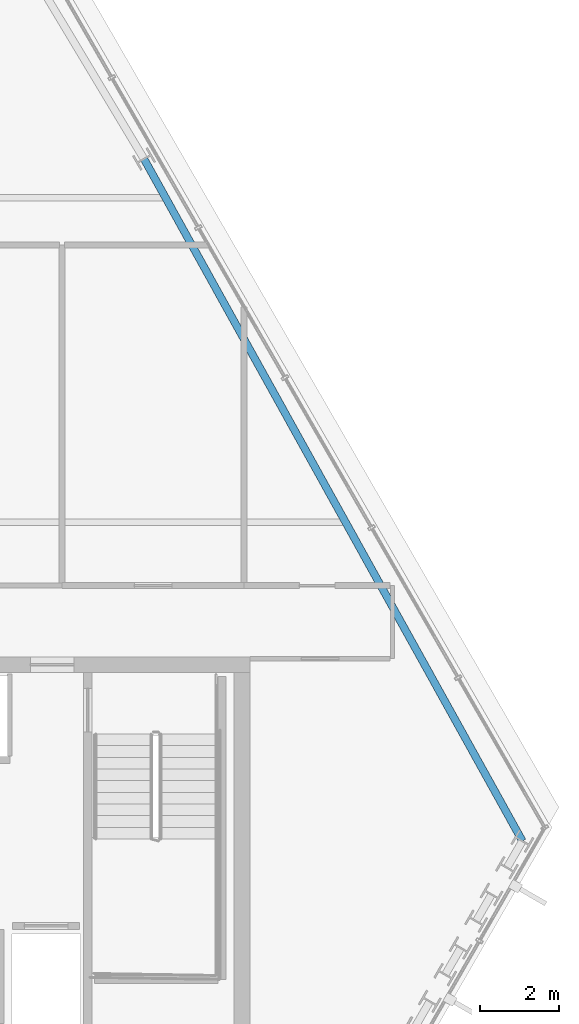
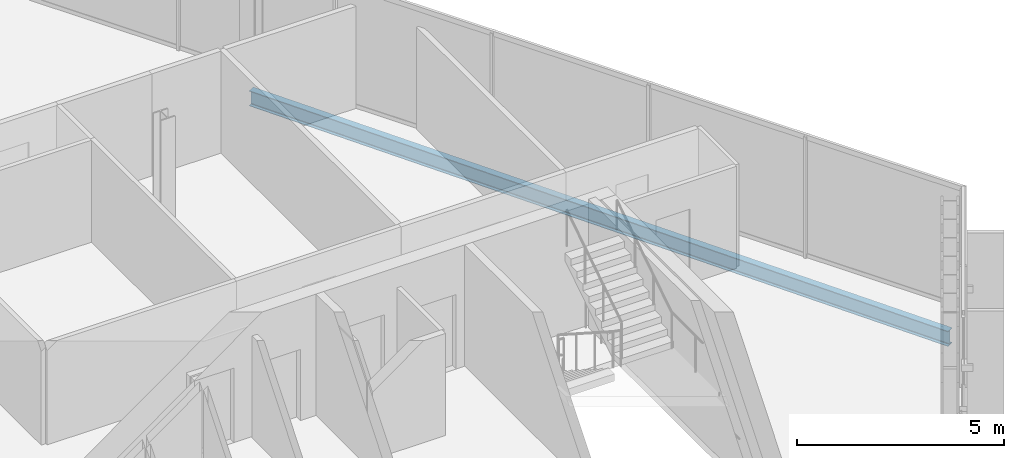
# One storey, part 16 of 29: 1 beam.
"""IFC4 building model written with IfcOpenShell, lengths in metres."""

from ifc_helpers import new_model, si_unit, direction, frame, origin, origin_2d, place, context, subcontext, project, spatial, i_section, extrude, material, material_profile, profile_set, type_object, element, save


model = new_model("IFC4")

# Units and contexts
model_context = context("Model", 3, precision=1e-05, world=origin(), true_north=direction((0.0, 1.0)))
body_context = subcontext(model_context, "Body", "Model", "MODEL_VIEW")
ifc_project = project(units=[si_unit("LENGTHUNIT", "METRE"), si_unit("AREAUNIT", "SQUARE_METRE"), si_unit("VOLUMEUNIT", "CUBIC_METRE"), si_unit("PLANEANGLEUNIT", "RADIAN"), si_unit("MASSUNIT", "GRAM", prefix="KILO")], contexts=[model_context])

# Site, building, storey
site_placement = place(None, origin())
site = spatial("IfcSite", under=ifc_project, at=site_placement, CompositionType="ELEMENT")
building_placement = place(site_placement, origin())
building = spatial("IfcBuilding", under=site, at=building_placement, Name="Ndaravel Arena Tower", CompositionType="ELEMENT")
storey_placement = place(building_placement, frame((0.0, 0.0, 240.800048828125)))
storey = spatial("IfcBuildingStorey", under=building, at=storey_placement, Name="L58", CompositionType="ELEMENT", Elevation=240.800048828125)

# Beam
ifc_material = material(Name="Steel S355", Category="steel")
ifc_material_profile = material_profile(ifc_material, i_section(OverallWidth=0.18994140625, OverallDepth=0.449951171875, WebThickness=0.009521484375, FlangeThickness=0.0146484375, FilletRadius=0.02099609375, at=origin_2d()), Name="IPE 450")
ifc_profile_set = profile_set([ifc_material_profile], Name="Steel S355")
beam_type = type_object("IfcBeamType", Name="BM-SPAN-IPE450", PredefinedType="SPANDREL", material=ifc_profile_set)
beam_placement = place(storey_placement, frame((64.43115234375, 10.54443359375, -0.445068359375), z_axis=(-0.485083189334, 0.874468009378, 0.0), x_axis=(-0.874468009378, -0.485083189334, 0.0)))
element("IfcBeam", 1, at=beam_placement, inside=storey, type_object=beam_type, Name="L58 Perimeter Spandrel Beam SP-09", PredefinedType="SPANDREL", context=body_context, shape_type="SweptSolid", body=[
    extrude(i_section(OverallWidth=0.18994140625, OverallDepth=0.449951171875, WebThickness=0.009521484375, FlangeThickness=0.0146484375, FilletRadius=0.02099609375, at=origin_2d()), origin(), (0.0, 0.0, 1.0), 19.705078125),
])

save(model, "model.ifc")
